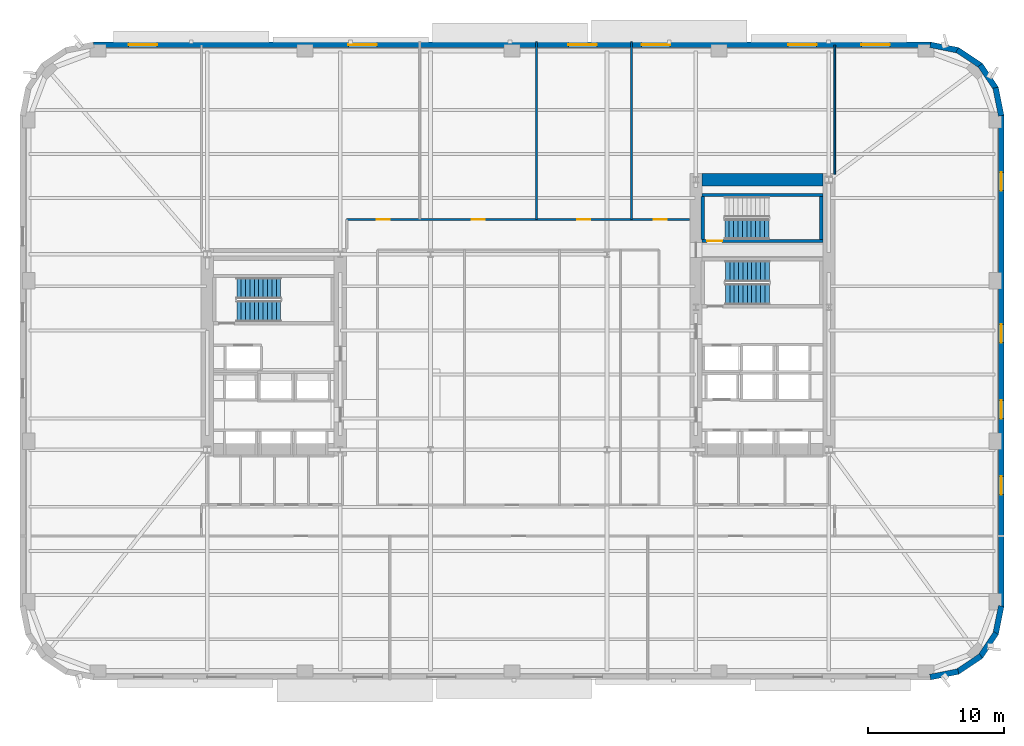
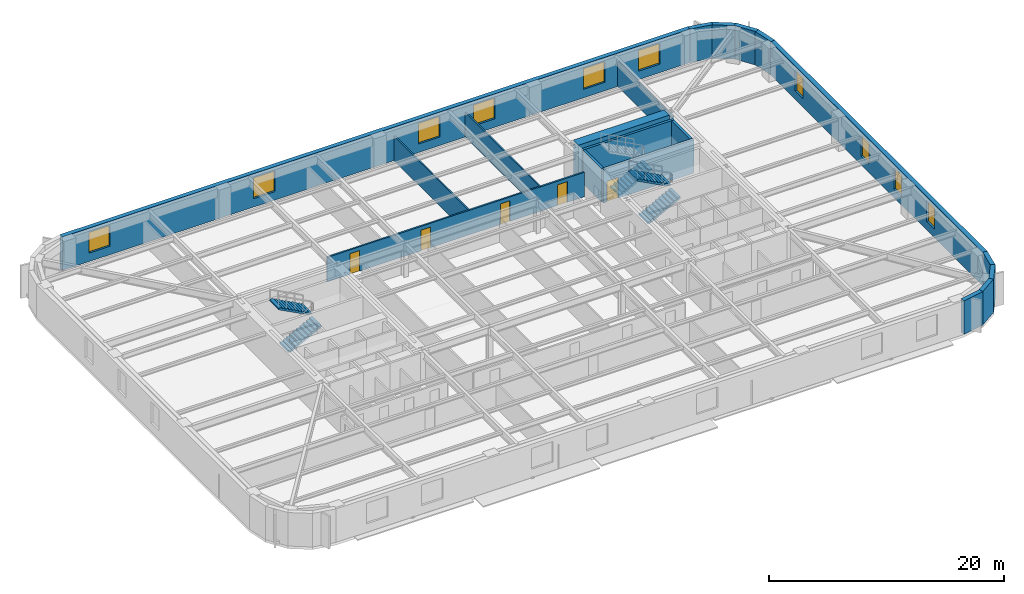
# One storey, part 7 of 15: 19 walls, 10 windows, 5 doors, 5 stair flights, 15 openings, 3 elements without a shape of their own.
"""IFC4 building model written with IfcOpenShell, lengths in metres."""

from ifc_helpers import new_model, si_unit, direction, frame, frame_2d, origin, place, context, subcontext, project, spatial, polyline, rectangle, outline, extrude, material, layer, layer_set, type_object, element, fill, aggregate, save


model = new_model("IFC4")

# Units and contexts
model_context = context("Model", 3, precision=1e-05, world=origin(), true_north=direction((0.0, 1.0)))
body_context = subcontext(model_context, "Body", "Model", "MODEL_VIEW")
ifc_project = project(units=[si_unit("LENGTHUNIT", "METRE"), si_unit("AREAUNIT", "SQUARE_METRE"), si_unit("VOLUMEUNIT", "CUBIC_METRE"), si_unit("PLANEANGLEUNIT", "RADIAN"), si_unit("MASSUNIT", "GRAM", prefix="KILO")], contexts=[model_context])

# Site, building, storey
site_placement = place(None, origin())
site = spatial("IfcSite", under=ifc_project, at=site_placement, CompositionType="ELEMENT")
building_placement = place(site_placement, origin())
building = spatial("IfcBuilding", under=site, at=building_placement, Name="Kolvaren Arena Tower", CompositionType="ELEMENT")
storey_placement = place(building_placement, frame((0.0, 0.0, 60.75)))
storey = spatial("IfcBuildingStorey", under=building, at=storey_placement, Name="L12", CompositionType="ELEMENT", Elevation=60.75)

# Wall, openings, doors
ifc_material_1 = material(Name="Gypsum board acoustic assembly", Category="gypsum")
ifc_layer_1 = layer(ifc_material_1, 0.159912109375)
ifc_layer_set_1 = layer_set([ifc_layer_1], Name="Gypsum board acoustic assembly")
wall_type_1 = type_object("IfcWallType", Name="CORR-160", PredefinedType="PARTITIONING", material=ifc_layer_set_1)
wall_1_placement = place(storey_placement, frame((24.820068359375, 36.419921875, 0.0), z_axis=(0.0, 0.0, 1.0), x_axis=(1.0, 0.0, 0.0)))
wall_1 = element("IfcWall", 1, at=wall_1_placement, inside=storey, type_object=wall_type_1, Name="Interior Partition Wall (L12)", PredefinedType="PARTITIONING", context=body_context, shape_type="SweptSolid", body=[
    extrude(rectangle(XDim=25.260009765625, YDim=0.159912109375, at=frame_2d((12.6298828125, 0.0))), origin(), (0.0, 0.0, 1.0), 2.5400390625),
])
opening_1_placement = place(wall_1_placement, frame((2.22998046875, 0.0, 0.0)))
opening_1 = element("IfcOpeningElement", 2, at=opening_1_placement, cuts=wall_1, Name="Opening D05", PredefinedType="OPENING", context=body_context, shape_type="SweptSolid", body=[
    extrude(rectangle(XDim=0.949951171875, YDim=2.14990234375, at=frame_2d((0.47509765625, 1.074951171875))), frame((0.0, 0.08984375, 0.0), z_axis=(0.0, -1.0, 0.0), x_axis=(1.0, 0.0, 0.0)), (0.0, 0.0, 1.0), 0.179931640625),
])
opening_2_placement = place(wall_1_placement, frame((9.205078125, 0.0, 0.0)))
opening_2 = element("IfcOpeningElement", 3, at=opening_2_placement, cuts=wall_1, Name="Opening D05", PredefinedType="OPENING", context=body_context, shape_type="SweptSolid", body=[
    extrude(rectangle(XDim=0.949951171875, YDim=2.14990234375, at=frame_2d((0.47509765625, 1.074951171875))), frame((0.0, 0.08984375, 0.0), z_axis=(0.0, -1.0, 0.0), x_axis=(1.0, 0.0, 0.0)), (0.0, 0.0, 1.0), 0.179931640625),
])
opening_3_placement = place(wall_1_placement, frame((17.0048828125, 0.0, 0.0)))
opening_3 = element("IfcOpeningElement", 4, at=opening_3_placement, cuts=wall_1, Name="Opening D05", PredefinedType="OPENING", context=body_context, shape_type="SweptSolid", body=[
    extrude(rectangle(XDim=0.949951171875, YDim=2.14990234375, at=frame_2d((0.47509765625, 1.074951171875))), frame((0.0, 0.08984375, 0.0), z_axis=(0.0, -1.0, 0.0), x_axis=(1.0, 0.0, 0.0)), (0.0, 0.0, 1.0), 0.179931640625),
])
opening_4_placement = place(wall_1_placement, frame((22.6298828125, 0.0, 0.0)))
opening_4 = element("IfcOpeningElement", 5, at=opening_4_placement, cuts=wall_1, Name="Opening D05", PredefinedType="OPENING", context=body_context, shape_type="SweptSolid", body=[
    extrude(rectangle(XDim=0.949951171875, YDim=2.14990234375, at=frame_2d((0.47509765625, 1.074951171875))), frame((0.0, 0.08984375, 0.0), z_axis=(0.0, -1.0, 0.0), x_axis=(1.0, 0.0, 0.0)), (0.0, 0.0, 1.0), 0.179931640625),
])
ifc_material_2 = material(Name="Solid-core oak acoustic office door", Category="wood")
door_type_1 = type_object("IfcDoorType", Name="DOOR-OF-095", OperationType="NOTDEFINED", PredefinedType="DOOR", material=ifc_material_2)
door_1_placement = place(opening_1_placement, origin())
door_1 = element("IfcDoor", 6, at=door_1_placement, inside=storey, type_object=door_type_1, Name="Executive Office Door (L12)", OperationType="SINGLE_SWING_LEFT", OverallHeight=2.14990234375, OverallWidth=0.949951171875, PredefinedType="DOOR", context=body_context, shape_type="SweptSolid", body=[
    extrude(rectangle(XDim=0.949951171875, YDim=2.14990234375, at=frame_2d((0.47509765625, 1.074951171875))), frame((0.0, 0.02490234375, 0.0), z_axis=(0.0, -1.0, 0.0), x_axis=(1.0, 0.0, 0.0)), (0.0, 0.0, 1.0), 0.050048828125),
])
fill(opening_1, door_1)
door_2_placement = place(opening_2_placement, origin())
door_2 = element("IfcDoor", 7, at=door_2_placement, inside=storey, type_object=door_type_1, Name="Corporate Project Office Door (L12)", OperationType="SINGLE_SWING_RIGHT", OverallHeight=2.14990234375, OverallWidth=0.949951171875, PredefinedType="DOOR", context=body_context, shape_type="SweptSolid", body=[
    extrude(rectangle(XDim=0.949951171875, YDim=2.14990234375, at=frame_2d((0.47509765625, 1.074951171875))), frame((0.0, 0.02490234375, 0.0), z_axis=(0.0, -1.0, 0.0), x_axis=(1.0, 0.0, 0.0)), (0.0, 0.0, 1.0), 0.050048828125),
])
fill(opening_2, door_2)
door_3_placement = place(opening_3_placement, origin())
door_3 = element("IfcDoor", 8, at=door_3_placement, inside=storey, type_object=door_type_1, Name="Breakout Pantry and Kitchen Door (L12)", OperationType="SINGLE_SWING_LEFT", OverallHeight=2.14990234375, OverallWidth=0.949951171875, PredefinedType="DOOR", context=body_context, shape_type="SweptSolid", body=[
    extrude(rectangle(XDim=0.949951171875, YDim=2.14990234375, at=frame_2d((0.47509765625, 1.074951171875))), frame((0.0, 0.02490234375, 0.0), z_axis=(0.0, -1.0, 0.0), x_axis=(1.0, 0.0, 0.0)), (0.0, 0.0, 1.0), 0.050048828125),
])
fill(opening_3, door_3)
door_4_placement = place(opening_4_placement, origin())
door_4 = element("IfcDoor", 9, at=door_4_placement, inside=storey, type_object=door_type_1, Name="Meeting Room Door (L12)", OperationType="SINGLE_SWING_RIGHT", OverallHeight=2.14990234375, OverallWidth=0.949951171875, PredefinedType="DOOR", context=body_context, shape_type="SweptSolid", body=[
    extrude(rectangle(XDim=0.949951171875, YDim=2.14990234375, at=frame_2d((0.47509765625, 1.074951171875))), frame((0.0, 0.02490234375, 0.0), z_axis=(0.0, -1.0, 0.0), x_axis=(1.0, 0.0, 0.0)), (0.0, 0.0, 1.0), 0.050048828125),
])
fill(opening_4, door_4)

# Walls
ifc_material_3 = material(Name="Concrete 80 MPa", Category="concrete")
ifc_layer_2 = layer(ifc_material_3, 0.89990234375)
ifc_layer_set_2 = layer_set([ifc_layer_2], Name="Concrete 80 MPa")
wall_type_2 = type_object("IfcWallType", Name="CWALL-900", PredefinedType="SHEAR", material=ifc_layer_set_2)
wall_2_placement = place(storey_placement, frame((51.0, 39.35009765625, -0.27001953125), z_axis=(0.0, 0.0, 1.0), x_axis=(1.0, 0.0, 0.0)))
element("IfcWall", 10, at=wall_2_placement, inside=storey, type_object=wall_type_2, Name="Core Shear Wall EC-NORTH (L12)", PredefinedType="SHEAR", context=body_context, shape_type="SweptSolid", body=[
    extrude(rectangle(XDim=8.89990234375, YDim=0.89990234375, at=frame_2d((4.449951171875, 0.0))), origin(), (0.0, 0.0, 1.0), 3.75),
])
ifc_material_4 = material(Name="Precast concrete C50/60", Category="concrete")
ifc_layer_3 = layer(ifc_material_4, 0.419921875)
ifc_layer_set_3 = layer_set([ifc_layer_3], Name="Precast concrete C50/60")
wall_type_3 = type_object("IfcWallType", Name="EXT-PIER1", PredefinedType="SOLIDWALL", material=ifc_layer_set_3)
for number, where, z_axis, x_axis, name in (
    (11, (69.87548828125, 3.1171875, 0.0), (0.0, 0.0, 1.0), (-0.9807762837, -0.195135546048, 0.0), "Exterior Precast Masonry-Frame Wall (L12)"),
    (12, (71.5517578125, 4.256103515625, 0.0), (0.0, 0.0, 1.0), (-0.831515102434, -0.555502146192, 0.0), "Exterior Precast Masonry-Frame Wall (L12)"),
    (13, (72.664306640625, 5.9501953125, 0.0), (0.0, 0.0, 1.0), (-0.555502146192, -0.831515102434, 0.0), "Exterior Precast Masonry-Frame Wall (L12)"),
    (14, (73.0439453125, 7.94091796875, 0.0), (0.0, 0.0, 1.0), (-0.195135546048, -0.9807762837, 0.0), "Exterior Precast Masonry-Frame Wall (L12)"),
):
    element("IfcWall", number, at=place(storey_placement, frame(where, z_axis=z_axis, x_axis=x_axis)), inside=storey, type_object=wall_type_3, Name=name, PredefinedType="SOLIDWALL", context=body_context, shape_type="SweptSolid", body=[
        extrude(rectangle(XDim=2.10693359375, YDim=0.419921875, at=frame_2d((1.053466796875, 0.0))), origin(), (0.0, 0.0, 1.0), 3.47998046875),
    ])

# Wall, openings, windows
wall_3_placement = place(storey_placement, frame((73.0400390625, 44.10009765625, 0.0), z_axis=(0.0, 0.0, 1.0), x_axis=(0.0, -1.0, 0.0)))
wall_3 = element("IfcWall", 15, at=wall_3_placement, inside=storey, type_object=wall_type_3, Name="Exterior Precast Masonry-Frame Wall (L12)", PredefinedType="SOLIDWALL", context=body_context, shape_type="SweptSolid", body=[
    extrude(rectangle(XDim=36.2001953125, YDim=0.419921875, at=frame_2d((18.10009765625, 0.0))), origin(), (0.0, 0.0, 1.0), 3.47998046875),
])
opening_5_placement = place(wall_3_placement, frame((4.199951171875, 0.0, 0.8798828125)))
opening_5 = element("IfcOpeningElement", 16, at=opening_5_placement, cuts=wall_3, Name="Opening W04", PredefinedType="OPENING", context=body_context, shape_type="SweptSolid", body=[
    extrude(rectangle(XDim=1.35009765625, YDim=2.199951171875, at=frame_2d((0.675048828125, 1.10009765625))), frame((0.0, 0.219970703125, 0.0), z_axis=(0.0, -1.0, 0.0), x_axis=(1.0, 0.0, 0.0)), (0.0, 0.0, 1.0), 0.43994140625),
])
opening_6_placement = place(wall_3_placement, frame((15.39990234375, 0.0, 0.8798828125)))
opening_6 = element("IfcOpeningElement", 17, at=opening_6_placement, cuts=wall_3, Name="Opening W04", PredefinedType="OPENING", context=body_context, shape_type="SweptSolid", body=[
    extrude(rectangle(XDim=1.35009765625, YDim=2.199951171875, at=frame_2d((0.675048828125, 1.10009765625))), frame((0.0, 0.219970703125, 0.0), z_axis=(0.0, -1.0, 0.0), x_axis=(1.0, 0.0, 0.0)), (0.0, 0.0, 1.0), 0.43994140625),
])
opening_7_placement = place(wall_3_placement, frame((21.0, 0.0, 0.8798828125)))
opening_7 = element("IfcOpeningElement", 18, at=opening_7_placement, cuts=wall_3, Name="Opening W04", PredefinedType="OPENING", context=body_context, shape_type="SweptSolid", body=[
    extrude(rectangle(XDim=1.35009765625, YDim=2.199951171875, at=frame_2d((0.675048828125, 1.10009765625))), frame((0.0, 0.219970703125, 0.0), z_axis=(0.0, -1.0, 0.0), x_axis=(1.0, 0.0, 0.0)), (0.0, 0.0, 1.0), 0.43994140625),
])
opening_8_placement = place(wall_3_placement, frame((26.60009765625, 0.0, 0.8798828125)))
opening_8 = element("IfcOpeningElement", 19, at=opening_8_placement, cuts=wall_3, Name="Opening W04", PredefinedType="OPENING", context=body_context, shape_type="SweptSolid", body=[
    extrude(rectangle(XDim=1.35009765625, YDim=2.199951171875, at=frame_2d((0.675048828125, 1.10009765625))), frame((0.0, 0.219970703125, 0.0), z_axis=(0.0, -1.0, 0.0), x_axis=(1.0, 0.0, 0.0)), (0.0, 0.0, 1.0), 0.43994140625),
])
ifc_material_5 = material(Name="Triple-glazed curved-facet corner window", Category="glass")
window_type_1 = type_object("IfcWindowType", Name="WIN-CRN-A", PartitioningType="SINGLE_PANEL", PredefinedType="WINDOW", material=ifc_material_5)
window_1_placement = place(opening_5_placement, origin())
window_1 = element("IfcWindow", 20, at=window_1_placement, inside=storey, type_object=window_type_1, Name="End-Wall Punched Window (L12)", OverallHeight=2.199951171875, OverallWidth=1.35009765625, PartitioningType="SINGLE_PANEL", PredefinedType="WINDOW", context=body_context, shape_type="SweptSolid", body=[
    extrude(rectangle(XDim=1.35009765625, YDim=2.199951171875, at=frame_2d((0.675048828125, 1.10009765625))), frame((0.0, 0.030029296875, 0.0), z_axis=(0.0, -1.0, 0.0), x_axis=(1.0, 0.0, 0.0)), (0.0, 0.0, 1.0), 0.06005859375),
])
fill(opening_5, window_1)
window_2_placement = place(opening_6_placement, origin())
window_2 = element("IfcWindow", 21, at=window_2_placement, inside=storey, type_object=window_type_1, Name="End-Wall Punched Window (L12)", OverallHeight=2.199951171875, OverallWidth=1.35009765625, PartitioningType="SINGLE_PANEL", PredefinedType="WINDOW", context=body_context, shape_type="SweptSolid", body=[
    extrude(rectangle(XDim=1.35009765625, YDim=2.199951171875, at=frame_2d((0.675048828125, 1.10009765625))), frame((0.0, 0.030029296875, 0.0), z_axis=(0.0, -1.0, 0.0), x_axis=(1.0, 0.0, 0.0)), (0.0, 0.0, 1.0), 0.06005859375),
])
fill(opening_6, window_2)
window_3_placement = place(opening_7_placement, origin())
window_3 = element("IfcWindow", 22, at=window_3_placement, inside=storey, type_object=window_type_1, Name="End-Wall Punched Window (L12)", OverallHeight=2.199951171875, OverallWidth=1.35009765625, PartitioningType="SINGLE_PANEL", PredefinedType="WINDOW", context=body_context, shape_type="SweptSolid", body=[
    extrude(rectangle(XDim=1.35009765625, YDim=2.199951171875, at=frame_2d((0.675048828125, 1.10009765625))), frame((0.0, 0.030029296875, 0.0), z_axis=(0.0, -1.0, 0.0), x_axis=(1.0, 0.0, 0.0)), (0.0, 0.0, 1.0), 0.06005859375),
])
fill(opening_7, window_3)
window_4_placement = place(opening_8_placement, origin())
window_4 = element("IfcWindow", 23, at=window_4_placement, inside=storey, type_object=window_type_1, Name="End-Wall Punched Window (L12)", OverallHeight=2.199951171875, OverallWidth=1.35009765625, PartitioningType="SINGLE_PANEL", PredefinedType="WINDOW", context=body_context, shape_type="SweptSolid", body=[
    extrude(rectangle(XDim=1.35009765625, YDim=2.199951171875, at=frame_2d((0.675048828125, 1.10009765625))), frame((0.0, 0.030029296875, 0.0), z_axis=(0.0, -1.0, 0.0), x_axis=(1.0, 0.0, 0.0)), (0.0, 0.0, 1.0), 0.06005859375),
])
fill(opening_8, window_4)

# Walls
for number, where, z_axis, x_axis, name in (
    (24, (72.6328125, 46.12548828125, 0.0), (0.0, 0.0, 1.0), (0.195135546048, -0.9807762837, 0.0), "Exterior Precast Masonry-Frame Wall (L12)"),
    (25, (71.493896484375, 47.8017578125, 0.0), (0.0, 0.0, 1.0), (0.555502146192, -0.831515102434, 0.0), "Exterior Precast Masonry-Frame Wall (L12)"),
    (26, (69.7998046875, 48.914306640625, 0.0), (0.0, 0.0, 1.0), (0.831515102434, -0.555502146192, 0.0), "Exterior Precast Masonry-Frame Wall (L12)"),
    (27, (67.80908203125, 49.2939453125, 0.0), (0.0, 0.0, 1.0), (0.9807762837, -0.195135546048, 0.0), "Exterior Precast Masonry-Frame Wall (L12)"),
):
    element("IfcWall", number, at=place(storey_placement, frame(where, z_axis=z_axis, x_axis=x_axis)), inside=storey, type_object=wall_type_3, Name=name, PredefinedType="SOLIDWALL", context=body_context, shape_type="SweptSolid", body=[
        extrude(rectangle(XDim=2.10693359375, YDim=0.419921875, at=frame_2d((1.053466796875, 0.0))), origin(), (0.0, 0.0, 1.0), 3.47998046875),
    ])

# Wall, openings, windows
wall_4_placement = place(storey_placement, frame((6.14990234375, 49.2900390625, 0.0), z_axis=(0.0, 0.0, 1.0), x_axis=(1.0, 0.0, 0.0)))
wall_4 = element("IfcWall", 28, at=wall_4_placement, inside=storey, type_object=wall_type_3, Name="Exterior Precast Masonry-Frame Wall (L12)", PredefinedType="SOLIDWALL", context=body_context, shape_type="SweptSolid", body=[
    extrude(rectangle(XDim=61.7001953125, YDim=0.419921875, at=frame_2d((30.85009765625, 0.0))), origin(), (0.0, 0.0, 1.0), 3.47998046875),
])
opening_9_placement = place(wall_4_placement, frame((2.60009765625, 0.0, 0.8798828125)))
opening_9 = element("IfcOpeningElement", 29, at=opening_9_placement, cuts=wall_4, Name="Opening W01", PredefinedType="OPENING", context=body_context, shape_type="SweptSolid", body=[
    extrude(rectangle(XDim=2.10009765625, YDim=2.14990234375, at=frame_2d((1.050048828125, 1.074951171875))), frame((0.0, 0.219970703125, 0.0), z_axis=(0.0, -1.0, 0.0), x_axis=(1.0, 0.0, 0.0)), (0.0, 0.0, 1.0), 0.43994140625),
])
opening_10_placement = place(wall_4_placement, frame((18.800048828125, 0.0, 0.8798828125)))
opening_10 = element("IfcOpeningElement", 30, at=opening_10_placement, cuts=wall_4, Name="Opening W01", PredefinedType="OPENING", context=body_context, shape_type="SweptSolid", body=[
    extrude(rectangle(XDim=2.10009765625, YDim=2.14990234375, at=frame_2d((1.050048828125, 1.074951171875))), frame((0.0, 0.219970703125, 0.0), z_axis=(0.0, -1.0, 0.0), x_axis=(1.0, 0.0, 0.0)), (0.0, 0.0, 1.0), 0.43994140625),
])
opening_11_placement = place(wall_4_placement, frame((35.0, 0.0, 0.8798828125)))
opening_11 = element("IfcOpeningElement", 31, at=opening_11_placement, cuts=wall_4, Name="Opening W01", PredefinedType="OPENING", context=body_context, shape_type="SweptSolid", body=[
    extrude(rectangle(XDim=2.10009765625, YDim=2.14990234375, at=frame_2d((1.050048828125, 1.074951171875))), frame((0.0, 0.219970703125, 0.0), z_axis=(0.0, -1.0, 0.0), x_axis=(1.0, 0.0, 0.0)), (0.0, 0.0, 1.0), 0.43994140625),
])
opening_12_placement = place(wall_4_placement, frame((40.39990234375, 0.0, 0.8798828125)))
opening_12 = element("IfcOpeningElement", 32, at=opening_12_placement, cuts=wall_4, Name="Opening W01", PredefinedType="OPENING", context=body_context, shape_type="SweptSolid", body=[
    extrude(rectangle(XDim=2.10009765625, YDim=2.14990234375, at=frame_2d((1.050048828125, 1.074951171875))), frame((0.0, 0.219970703125, 0.0), z_axis=(0.0, -1.0, 0.0), x_axis=(1.0, 0.0, 0.0)), (0.0, 0.0, 1.0), 0.43994140625),
])
opening_13_placement = place(wall_4_placement, frame((51.199951171875, 0.0, 0.8798828125)))
opening_13 = element("IfcOpeningElement", 33, at=opening_13_placement, cuts=wall_4, Name="Opening W01", PredefinedType="OPENING", context=body_context, shape_type="SweptSolid", body=[
    extrude(rectangle(XDim=2.10009765625, YDim=2.14990234375, at=frame_2d((1.050048828125, 1.074951171875))), frame((0.0, 0.219970703125, 0.0), z_axis=(0.0, -1.0, 0.0), x_axis=(1.0, 0.0, 0.0)), (0.0, 0.0, 1.0), 0.43994140625),
])
opening_14_placement = place(wall_4_placement, frame((56.60009765625, 0.0, 0.8798828125)))
opening_14 = element("IfcOpeningElement", 34, at=opening_14_placement, cuts=wall_4, Name="Opening W01", PredefinedType="OPENING", context=body_context, shape_type="SweptSolid", body=[
    extrude(rectangle(XDim=2.10009765625, YDim=2.14990234375, at=frame_2d((1.050048828125, 1.074951171875))), frame((0.0, 0.219970703125, 0.0), z_axis=(0.0, -1.0, 0.0), x_axis=(1.0, 0.0, 0.0)), (0.0, 0.0, 1.0), 0.43994140625),
])
ifc_material_6 = material(Name="Triple-glazed low-E aluminium window", Category="aluminium")
window_type_2 = type_object("IfcWindowType", Name="WIN-OFF-A", PartitioningType="DOUBLE_PANEL_VERTICAL", PredefinedType="WINDOW", material=ifc_material_6)
window_5_placement = place(opening_9_placement, origin())
window_5 = element("IfcWindow", 35, at=window_5_placement, inside=storey, type_object=window_type_2, Name="Punched Precast-Pier Window (L12)", OverallHeight=2.14990234375, OverallWidth=2.10009765625, PartitioningType="DOUBLE_PANEL_VERTICAL", PredefinedType="WINDOW", context=body_context, shape_type="SweptSolid", body=[
    extrude(rectangle(XDim=2.10009765625, YDim=2.14990234375, at=frame_2d((1.050048828125, 1.074951171875))), frame((0.0, 0.030029296875, 0.0), z_axis=(0.0, -1.0, 0.0), x_axis=(1.0, 0.0, 0.0)), (0.0, 0.0, 1.0), 0.06005859375),
])
fill(opening_9, window_5)
window_6_placement = place(opening_10_placement, origin())
window_6 = element("IfcWindow", 36, at=window_6_placement, inside=storey, type_object=window_type_2, Name="Punched Precast-Pier Window (L12)", OverallHeight=2.14990234375, OverallWidth=2.10009765625, PartitioningType="DOUBLE_PANEL_VERTICAL", PredefinedType="WINDOW", context=body_context, shape_type="SweptSolid", body=[
    extrude(rectangle(XDim=2.10009765625, YDim=2.14990234375, at=frame_2d((1.050048828125, 1.074951171875))), frame((0.0, 0.030029296875, 0.0), z_axis=(0.0, -1.0, 0.0), x_axis=(1.0, 0.0, 0.0)), (0.0, 0.0, 1.0), 0.06005859375),
])
fill(opening_10, window_6)
window_7_placement = place(opening_11_placement, origin())
window_7 = element("IfcWindow", 37, at=window_7_placement, inside=storey, type_object=window_type_2, Name="Punched Precast-Pier Window (L12)", OverallHeight=2.14990234375, OverallWidth=2.10009765625, PartitioningType="DOUBLE_PANEL_VERTICAL", PredefinedType="WINDOW", context=body_context, shape_type="SweptSolid", body=[
    extrude(rectangle(XDim=2.10009765625, YDim=2.14990234375, at=frame_2d((1.050048828125, 1.074951171875))), frame((0.0, 0.030029296875, 0.0), z_axis=(0.0, -1.0, 0.0), x_axis=(1.0, 0.0, 0.0)), (0.0, 0.0, 1.0), 0.06005859375),
])
fill(opening_11, window_7)
window_8_placement = place(opening_12_placement, origin())
window_8 = element("IfcWindow", 38, at=window_8_placement, inside=storey, type_object=window_type_2, Name="Punched Precast-Pier Window (L12)", OverallHeight=2.14990234375, OverallWidth=2.10009765625, PartitioningType="DOUBLE_PANEL_VERTICAL", PredefinedType="WINDOW", context=body_context, shape_type="SweptSolid", body=[
    extrude(rectangle(XDim=2.10009765625, YDim=2.14990234375, at=frame_2d((1.050048828125, 1.074951171875))), frame((0.0, 0.030029296875, 0.0), z_axis=(0.0, -1.0, 0.0), x_axis=(1.0, 0.0, 0.0)), (0.0, 0.0, 1.0), 0.06005859375),
])
fill(opening_12, window_8)
window_9_placement = place(opening_13_placement, origin())
window_9 = element("IfcWindow", 39, at=window_9_placement, inside=storey, type_object=window_type_2, Name="Punched Precast-Pier Window (L12)", OverallHeight=2.14990234375, OverallWidth=2.10009765625, PartitioningType="DOUBLE_PANEL_VERTICAL", PredefinedType="WINDOW", context=body_context, shape_type="SweptSolid", body=[
    extrude(rectangle(XDim=2.10009765625, YDim=2.14990234375, at=frame_2d((1.050048828125, 1.074951171875))), frame((0.0, 0.030029296875, 0.0), z_axis=(0.0, -1.0, 0.0), x_axis=(1.0, 0.0, 0.0)), (0.0, 0.0, 1.0), 0.06005859375),
])
fill(opening_13, window_9)
window_10_placement = place(opening_14_placement, origin())
window_10 = element("IfcWindow", 40, at=window_10_placement, inside=storey, type_object=window_type_2, Name="Punched Precast-Pier Window (L12)", OverallHeight=2.14990234375, OverallWidth=2.10009765625, PartitioningType="DOUBLE_PANEL_VERTICAL", PredefinedType="WINDOW", context=body_context, shape_type="SweptSolid", body=[
    extrude(rectangle(XDim=2.10009765625, YDim=2.14990234375, at=frame_2d((1.050048828125, 1.074951171875))), frame((0.0, 0.030029296875, 0.0), z_axis=(0.0, -1.0, 0.0), x_axis=(1.0, 0.0, 0.0)), (0.0, 0.0, 1.0), 0.06005859375),
])
fill(opening_14, window_10)

# Walls
ifc_material_7 = material(Name="Gypsum board partition assembly", Category="gypsum")
ifc_layer_4 = layer(ifc_material_7, 0.135009765625)
ifc_layer_set_4 = layer_set([ifc_layer_4], Name="Gypsum board partition assembly")
wall_type_4 = type_object("IfcWallType", Name="PART-135", PredefinedType="PARTITIONING", material=ifc_layer_set_4)
for number, where, z_axis, x_axis, name in (
    (41, (38.800048828125, 36.419921875, 0.0), (0.0, 0.0, 1.0), (0.0, 1.0, 0.0), "Interior Partition Wall (L12)"),
    (42, (45.800048828125, 36.419921875, 0.0), (0.0, 0.0, 1.0), (0.0, 1.0, 0.0), "Interior Partition Wall (L12)"),
):
    element("IfcWall", number, at=place(storey_placement, frame(where, z_axis=z_axis, x_axis=x_axis)), inside=storey, type_object=wall_type_4, Name=name, PredefinedType="PARTITIONING", context=body_context, shape_type="SweptSolid", body=[
        extrude(rectangle(XDim=13.080078125, YDim=0.135009765625, at=frame_2d((6.5400390625, 0.0))), origin(), (0.0, 0.0, 1.0), 2.5400390625),
    ])
wall_5_placement = place(storey_placement, frame((60.780029296875, 39.75, 0.0), z_axis=(0.0, 0.0, 1.0), x_axis=(0.0, 1.0, 0.0)))
element("IfcWall", 43, at=wall_5_placement, inside=storey, type_object=wall_type_4, Name="Interior Partition Wall (L12)", PredefinedType="PARTITIONING", context=body_context, shape_type="SweptSolid", body=[
    extrude(rectangle(XDim=9.510009765625, YDim=0.135009765625, at=frame_2d((4.7548828125, 0.0))), origin(), (0.0, 0.0, 1.0), 2.5400390625),
])

# Wall, opening, door
ifc_material_8 = material(Name="Concrete 45 MPa", Category="concrete")
ifc_layer_5 = layer(ifc_material_8, 0.25)
ifc_layer_set_5 = layer_set([ifc_layer_5], Name="Concrete 45 MPa")
wall_type_5 = type_object("IfcWallType", Name="SHAFT-250", PredefinedType="SOLIDWALL", material=ifc_layer_set_5)
wall_6_placement = place(storey_placement, frame((59.89990234375, 34.830078125, 0.0), z_axis=(0.0, 0.0, 1.0), x_axis=(-1.0, 0.0, 0.0)))
wall_6 = element("IfcWall", 44, at=wall_6_placement, inside=storey, type_object=wall_type_5, Name="Core Shaft Wall (L12)", PredefinedType="SOLIDWALL", context=body_context, shape_type="SweptSolid", body=[
    extrude(rectangle(XDim=8.89990234375, YDim=0.239990234375, at=frame_2d((4.449951171875, 0.0))), origin(), (0.0, 0.0, 1.0), 3.47998046875),
])
opening_15_placement = place(wall_6_placement, frame((7.419921875, 0.0, 0.0)))
opening_15 = element("IfcOpeningElement", 45, at=opening_15_placement, cuts=wall_6, Name="Opening D03", PredefinedType="OPENING", context=body_context, shape_type="SweptSolid", body=[
    extrude(rectangle(XDim=1.10009765625, YDim=2.14990234375, at=frame_2d((0.550048828125, 1.074951171875))), frame((0.0, 0.1298828125, 0.0), z_axis=(0.0, -1.0, 0.0), x_axis=(1.0, 0.0, 0.0)), (0.0, 0.0, 1.0), 0.260009765625),
])
ifc_material_9 = material(Name="Fire-rated steel exit stair door", Category="steel")
door_type_2 = type_object("IfcDoorType", Name="DOOR-ST-110", OperationType="NOTDEFINED", PredefinedType="DOOR", material=ifc_material_9)
door_5_placement = place(opening_15_placement, origin())
door_5 = element("IfcDoor", 46, at=door_5_placement, inside=storey, type_object=door_type_2, Name="Stair ST-E2 Fire Door (L12)", OperationType="SINGLE_SWING_LEFT", OverallHeight=2.14990234375, OverallWidth=1.10009765625, PredefinedType="DOOR", context=body_context, shape_type="SweptSolid", body=[
    extrude(rectangle(XDim=1.10009765625, YDim=2.14990234375, at=frame_2d((0.550048828125, 1.074951171875))), frame((0.0, 0.02490234375, 0.0), z_axis=(0.0, -1.0, 0.0), x_axis=(1.0, 0.0, 0.0)), (0.0, 0.0, 1.0), 0.050048828125),
])
fill(opening_15, door_5)

# Walls
wall_7_placement = place(storey_placement, frame((51.0, 38.219970703125, 0.0), z_axis=(0.0, 0.0, 1.0), x_axis=(1.0, 0.0, 0.0)))
element("IfcWall", 47, at=wall_7_placement, inside=storey, type_object=wall_type_5, Name="Core Shaft Wall (L12)", PredefinedType="SOLIDWALL", context=body_context, shape_type="SweptSolid", body=[
    extrude(rectangle(XDim=8.89990234375, YDim=0.239990234375, at=frame_2d((4.449951171875, 0.0))), origin(), (0.0, 0.0, 1.0), 3.47998046875),
])
for number, where, z_axis, x_axis, name in (
    (48, (51.06005859375, 34.949951171875, 0.0), (0.0, 0.0, 1.0), (0.0, 1.0, 0.0), "Core Shaft Wall (L12)"),
    (49, (59.780029296875, 34.949951171875, 0.0), (0.0, 0.0, 1.0), (0.0, 1.0, 0.0), "Core Shaft Wall (L12)"),
):
    element("IfcWall", number, at=place(storey_placement, frame(where, z_axis=z_axis, x_axis=x_axis)), inside=storey, type_object=wall_type_5, Name=name, PredefinedType="SOLIDWALL", context=body_context, shape_type="SweptSolid", body=[
        extrude(rectangle(XDim=3.150146484375, YDim=0.239990234375, at=frame_2d((1.5751953125, 0.0))), origin(), (0.0, 0.0, 1.0), 3.47998046875),
    ])

# Stair, stair flight
stair_type_1 = type_object("IfcStairType", Name="STAIR-CORE-150", PredefinedType="HALF_TURN_STAIR", material=ifc_material_8)
stair_1_placement = place(storey_placement, origin())
stair_1 = element("IfcStair", 50, at=stair_1_placement, inside=storey, type_object=stair_type_1, Name="L12 ST-E2", PredefinedType="HALF_TURN_STAIR")
stair_flight_type_1 = type_object("IfcStairFlightType", Name="FLT-150", PredefinedType="STRAIGHT", material=ifc_material_8)
stair_flight_1_placement = place(storey_placement, frame((52.679931640625, 35.699951171875, 0.0), z_axis=(0.0, 0.0, 1.0), x_axis=(1.0, 0.0, 0.0)))
stair_flight_1 = element("IfcStairFlight", 51, at=stair_flight_1_placement, type_object=stair_flight_type_1, Name="ST-E2 flight 1", NumberOfRisers=11, NumberOfTreads=10, PredefinedType="STRAIGHT", RiserHeight=0.170454545, TreadLength=0.324, context=body_context, shape_type="SweptSolid", body=[
    extrude(outline(polyline([(0.0, 0.0), (0.0, 0.17041015625), (0.323974609375, 0.17041015625), (0.323974609375, 0.3408203125), (0.64794921875, 0.3408203125), (0.64794921875, 0.511474609375), (0.971923828125, 0.511474609375), (0.971923828125, 0.681884765625), (1.2958984375, 0.681884765625), (1.2958984375, 0.852294921875), (1.6201171875, 0.852294921875), (1.6201171875, 1.022705078125), (1.944091796875, 1.022705078125), (1.944091796875, 1.193115234375), (2.26806640625, 1.193115234375), (2.26806640625, 1.363525390625), (2.592041015625, 1.363525390625), (2.592041015625, 1.5341796875), (2.916015625, 1.5341796875), (2.916015625, 1.70458984375), (3.239990234375, 1.70458984375), (3.239990234375, 1.875), (3.239990234375, 1.53515625), (0.322021484375, 0.0), (0.0, 0.0)])), frame((0.0, 0.75, 0.0), z_axis=(0.0, -1.0, 0.0), x_axis=(1.0, 0.0, 0.0)), (0.0, 0.0, 1.0), 1.5),
])
aggregate(stair_1, [stair_flight_1])

# Stair, stair flights
stair_type_2 = type_object("IfcStairType", Name="STAIR-CORE-165", PredefinedType="HALF_TURN_STAIR", material=ifc_material_8)
stair_2_placement = place(storey_placement, origin())
stair_2 = element("IfcStair", 52, at=stair_2_placement, inside=storey, type_object=stair_type_2, Name="L12 ST-W1", PredefinedType="HALF_TURN_STAIR")
stair_flight_type_2 = type_object("IfcStairFlightType", Name="FLT-165", PredefinedType="STRAIGHT", material=ifc_material_8)
stair_flight_2_placement = place(storey_placement, frame((16.719970703125, 29.669921875, 0.0), z_axis=(0.0, 0.0, 1.0), x_axis=(1.0, 0.0, 0.0)))
stair_flight_2 = element("IfcStairFlight", 53, at=stair_flight_2_placement, type_object=stair_flight_type_2, Name="ST-W1 flight 1", NumberOfRisers=11, NumberOfTreads=10, PredefinedType="STRAIGHT", RiserHeight=0.170454545, TreadLength=0.324, context=body_context, shape_type="SweptSolid", body=[
    extrude(outline(polyline([(0.0, 0.0), (0.0, 0.17041015625), (0.323974609375, 0.17041015625), (0.323974609375, 0.3408203125), (0.64794921875, 0.3408203125), (0.64794921875, 0.511474609375), (0.971923828125, 0.511474609375), (0.971923828125, 0.681884765625), (1.2958984375, 0.681884765625), (1.2958984375, 0.852294921875), (1.6201171875, 0.852294921875), (1.6201171875, 1.022705078125), (1.944091796875, 1.022705078125), (1.944091796875, 1.193115234375), (2.26806640625, 1.193115234375), (2.26806640625, 1.363525390625), (2.592041015625, 1.363525390625), (2.592041015625, 1.5341796875), (2.916015625, 1.5341796875), (2.916015625, 1.70458984375), (3.239990234375, 1.70458984375), (3.239990234375, 1.875), (3.239990234375, 1.53515625), (0.322021484375, 0.0), (0.0, 0.0)])), frame((0.0, 0.77001953125, 0.0), z_axis=(0.0, -1.0, 0.0), x_axis=(1.0, 0.0, 0.0)), (0.0, 0.0, 1.0), 1.5400390625),
])
stair_flight_3_placement = place(storey_placement, frame((19.9599609375, 31.360107421875, 1.875), z_axis=(0.0, 0.0, 1.0), x_axis=(-1.0, 0.0, 0.0)))
stair_flight_3 = element("IfcStairFlight", 54, at=stair_flight_3_placement, type_object=stair_flight_type_2, Name="ST-W1 flight 2", NumberOfRisers=11, NumberOfTreads=10, PredefinedType="STRAIGHT", RiserHeight=0.170454545, TreadLength=0.324, context=body_context, shape_type="SweptSolid", body=[
    extrude(outline(polyline([(0.0, 0.0), (0.0, 0.17041015625), (0.323974609375, 0.17041015625), (0.323974609375, 0.3408203125), (0.64794921875, 0.3408203125), (0.64794921875, 0.511474609375), (0.971923828125, 0.511474609375), (0.971923828125, 0.681884765625), (1.2958984375, 0.681884765625), (1.2958984375, 0.852294921875), (1.6201171875, 0.852294921875), (1.6201171875, 1.022705078125), (1.944091796875, 1.022705078125), (1.944091796875, 1.193115234375), (2.26806640625, 1.193115234375), (2.26806640625, 1.363525390625), (2.592041015625, 1.363525390625), (2.592041015625, 1.5341796875), (2.916015625, 1.5341796875), (2.916015625, 1.70458984375), (3.239990234375, 1.70458984375), (3.239990234375, 1.875), (3.239990234375, 1.53515625), (0.322021484375, 0.0), (0.0, 0.0)])), frame((0.0, 0.77001953125, 0.0), z_axis=(0.0, -1.0, 0.0), x_axis=(1.0, 0.0, 0.0)), (0.0, 0.0, 1.0), 1.5400390625),
])
aggregate(stair_2, [stair_flight_2, stair_flight_3])

stair_3_placement = place(storey_placement, origin())
stair_3 = element("IfcStair", 55, at=stair_3_placement, inside=storey, type_object=stair_type_2, Name="L12 ST-E1", PredefinedType="HALF_TURN_STAIR")
stair_flight_4_placement = place(storey_placement, frame((52.719970703125, 30.919921875, 0.0), z_axis=(0.0, 0.0, 1.0), x_axis=(1.0, 0.0, 0.0)))
stair_flight_4 = element("IfcStairFlight", 56, at=stair_flight_4_placement, type_object=stair_flight_type_2, Name="ST-E1 flight 1", NumberOfRisers=11, NumberOfTreads=10, PredefinedType="STRAIGHT", RiserHeight=0.170454545, TreadLength=0.324, context=body_context, shape_type="SweptSolid", body=[
    extrude(outline(polyline([(0.0, 0.0), (0.0, 0.17041015625), (0.323974609375, 0.17041015625), (0.323974609375, 0.3408203125), (0.64794921875, 0.3408203125), (0.64794921875, 0.511474609375), (0.971923828125, 0.511474609375), (0.971923828125, 0.681884765625), (1.2958984375, 0.681884765625), (1.2958984375, 0.852294921875), (1.6201171875, 0.852294921875), (1.6201171875, 1.022705078125), (1.944091796875, 1.022705078125), (1.944091796875, 1.193115234375), (2.26806640625, 1.193115234375), (2.26806640625, 1.363525390625), (2.592041015625, 1.363525390625), (2.592041015625, 1.5341796875), (2.916015625, 1.5341796875), (2.916015625, 1.70458984375), (3.239990234375, 1.70458984375), (3.239990234375, 1.875), (3.239990234375, 1.53515625), (0.322021484375, 0.0), (0.0, 0.0)])), frame((0.0, 0.77001953125, 0.0), z_axis=(0.0, -1.0, 0.0), x_axis=(1.0, 0.0, 0.0)), (0.0, 0.0, 1.0), 1.5400390625),
])
stair_flight_5_placement = place(storey_placement, frame((55.9599609375, 32.610107421875, 1.875), z_axis=(0.0, 0.0, 1.0), x_axis=(-1.0, 0.0, 0.0)))
stair_flight_5 = element("IfcStairFlight", 57, at=stair_flight_5_placement, type_object=stair_flight_type_2, Name="ST-E1 flight 2", NumberOfRisers=11, NumberOfTreads=10, PredefinedType="STRAIGHT", RiserHeight=0.170454545, TreadLength=0.324, context=body_context, shape_type="SweptSolid", body=[
    extrude(outline(polyline([(0.0, 0.0), (0.0, 0.17041015625), (0.323974609375, 0.17041015625), (0.323974609375, 0.3408203125), (0.64794921875, 0.3408203125), (0.64794921875, 0.511474609375), (0.971923828125, 0.511474609375), (0.971923828125, 0.681884765625), (1.2958984375, 0.681884765625), (1.2958984375, 0.852294921875), (1.6201171875, 0.852294921875), (1.6201171875, 1.022705078125), (1.944091796875, 1.022705078125), (1.944091796875, 1.193115234375), (2.26806640625, 1.193115234375), (2.26806640625, 1.363525390625), (2.592041015625, 1.363525390625), (2.592041015625, 1.5341796875), (2.916015625, 1.5341796875), (2.916015625, 1.70458984375), (3.239990234375, 1.70458984375), (3.239990234375, 1.875), (3.239990234375, 1.53515625), (0.322021484375, 0.0), (0.0, 0.0)])), frame((0.0, 0.77001953125, 0.0), z_axis=(0.0, -1.0, 0.0), x_axis=(1.0, 0.0, 0.0)), (0.0, 0.0, 1.0), 1.5400390625),
])
aggregate(stair_3, [stair_flight_4, stair_flight_5])

save(model, "model.ifc")
